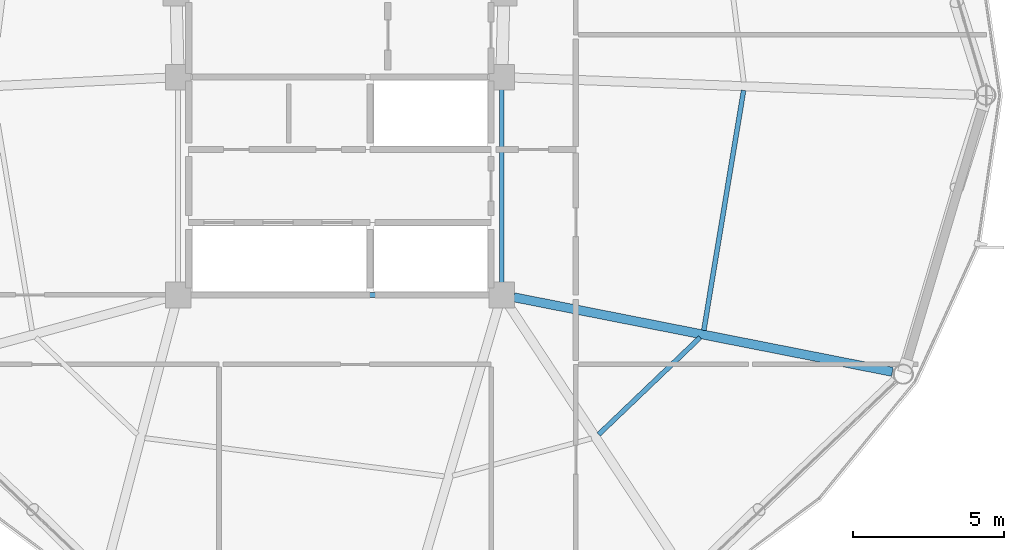
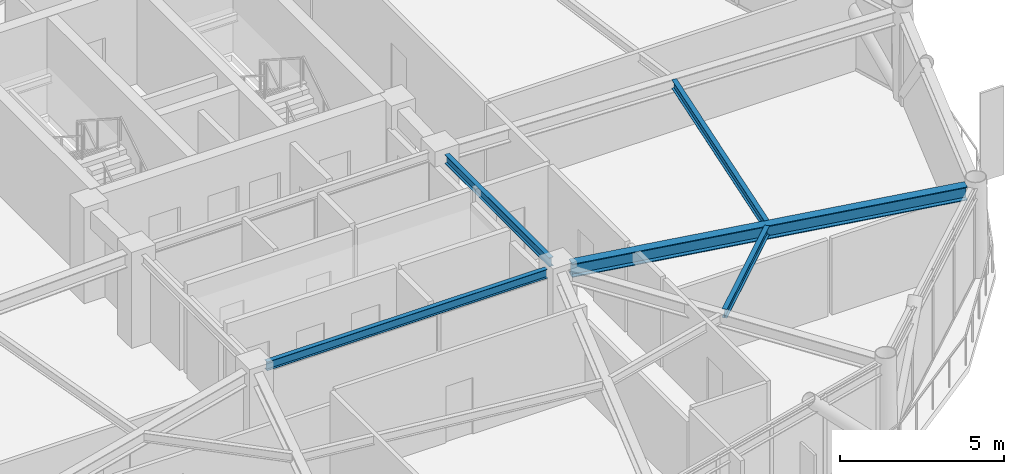
# One storey, part 10 of 28: 5 beams.
"""IFC4 building model written with IfcOpenShell, lengths in metres."""

from ifc_helpers import new_model, si_unit, direction, frame, origin, origin_2d, place, context, subcontext, project, spatial, i_section, extrude, material, material_profile, profile_set, type_object, element, save


model = new_model("IFC4")

# Units and contexts
model_context = context("Model", 3, precision=1e-05, world=origin(), true_north=direction((0.0, 1.0)))
body_context = subcontext(model_context, "Body", "Model", "MODEL_VIEW")
ifc_project = project(units=[si_unit("LENGTHUNIT", "METRE"), si_unit("AREAUNIT", "SQUARE_METRE"), si_unit("VOLUMEUNIT", "CUBIC_METRE"), si_unit("PLANEANGLEUNIT", "RADIAN"), si_unit("MASSUNIT", "GRAM", prefix="KILO")], contexts=[model_context])

# Site, building, storey
site_placement = place(None, origin())
site = spatial("IfcSite", under=ifc_project, at=site_placement, CompositionType="ELEMENT")
building_placement = place(site_placement, origin())
building = spatial("IfcBuilding", under=site, at=building_placement, Name="Varnakorn Sky Granary", CompositionType="ELEMENT")
storey_placement = place(building_placement, frame((0.0, 0.0, 193.199951171875)))
storey = spatial("IfcBuildingStorey", under=building, at=storey_placement, Name="L48", CompositionType="ELEMENT", Elevation=193.199951171875)

# Beams
ifc_material = material(Name="Steel S355JR", Category="steel")
ifc_material_profile_1 = material_profile(ifc_material, i_section(OverallWidth=0.300048828125, OverallDepth=0.5, WebThickness=0.014404296875, FlangeThickness=0.028076171875, at=origin_2d()), Name="HE 500 B")
ifc_profile_set_1 = profile_set([ifc_material_profile_1], Name="Steel S355JR")
beam_type_1 = type_object("IfcBeamType", Name="BM-RAD-Z4", PredefinedType="BEAM", material=ifc_profile_set_1)
beam_1_placement = place(storey_placement, frame((8.747314453125, -6.67822265625, 3.110107421875), z_axis=(0.981124512543, -0.193377069186, 0.0), x_axis=(0.193377069186, 0.981124512543, 0.0)))
element("IfcBeam", 1, at=beam_1_placement, inside=storey, type_object=beam_type_1, Name="Radial Floor Girder RG12 L48", PredefinedType="BEAM", context=body_context, shape_type="SweptSolid", body=[
    extrude(i_section(OverallWidth=0.300048828125, OverallDepth=0.5, WebThickness=0.014404296875, FlangeThickness=0.028076171875, at=origin_2d()), origin(), (0.0, 0.0, 1.0), 12.75634765625),
])
ifc_material_profile_2 = material_profile(ifc_material, i_section(OverallWidth=0.159912109375, OverallDepth=0.330078125, WebThickness=0.007568359375, FlangeThickness=0.011474609375, at=origin_2d()), Name="IPE 330")
ifc_profile_set_2 = profile_set([ifc_material_profile_2], Name="Steel S355JR")
beam_type_2 = type_object("IfcBeamType", Name="BM-SEC-Z4", PredefinedType="BEAM", material=ifc_profile_set_2)
beam_2_placement = place(storey_placement, frame((11.55322265625, -11.21337890625, 3.195068359375), z_axis=(0.722675018408, 0.691187975712, 0.0), x_axis=(-0.691187975712, 0.722675018408, 0.0)))
element("IfcBeam", 2, at=beam_2_placement, inside=storey, type_object=beam_type_2, Name="Secondary Floor Chord Beam MSB11 L48", PredefinedType="BEAM", context=body_context, shape_type="SweptSolid", body=[
    extrude(i_section(OverallWidth=0.159912109375, OverallDepth=0.330078125, WebThickness=0.007568359375, FlangeThickness=0.011474609375, at=origin_2d()), origin(), (0.0, 0.0, 1.0), 4.63671875),
])
beam_3_placement = place(storey_placement, frame((15.028076171875, -7.773681640625, 3.195068359375), z_axis=(0.163626055407, 0.986522434612, 0.0), x_axis=(-0.986522434612, 0.163626055407, 0.0)))
element("IfcBeam", 3, at=beam_3_placement, inside=storey, type_object=beam_type_2, Name="Secondary Floor Chord Beam MSB12 L48", PredefinedType="BEAM", context=body_context, shape_type="SweptSolid", body=[
    extrude(i_section(OverallWidth=0.159912109375, OverallDepth=0.330078125, WebThickness=0.007568359375, FlangeThickness=0.011474609375, at=origin_2d()), origin(), (0.0, 0.0, 1.0), 8.042236328125),
])
beam_4_placement = place(storey_placement, frame((8.35009765625, 0.195068359375, 3.195068359375), z_axis=(0.0, -1.0, 0.0), x_axis=(1.0, 0.0, 0.0)))
element("IfcBeam", 4, at=beam_4_placement, inside=storey, type_object=beam_type_2, Name="Core Spine Framing Beam 4 L48", PredefinedType="BEAM", context=body_context, shape_type="SweptSolid", body=[
    extrude(i_section(OverallWidth=0.159912109375, OverallDepth=0.330078125, WebThickness=0.007568359375, FlangeThickness=0.011474609375, at=origin_2d()), origin(), (0.0, 0.0, 1.0), 6.39013671875),
])
beam_5_placement = place(storey_placement, frame((-1.945068359375, -6.60009765625, 3.195068359375), z_axis=(1.0, 0.0, 0.0), x_axis=(0.0, 1.0, 0.0)))
element("IfcBeam", 5, at=beam_5_placement, inside=storey, type_object=beam_type_2, Name="Core Spine Framing Beam 6 L48", PredefinedType="BEAM", context=body_context, shape_type="SweptSolid", body=[
    extrude(i_section(OverallWidth=0.159912109375, OverallDepth=0.330078125, WebThickness=0.007568359375, FlangeThickness=0.011474609375, at=origin_2d()), origin(), (0.0, 0.0, 1.0), 9.89013671875),
])

save(model, "model.ifc")
